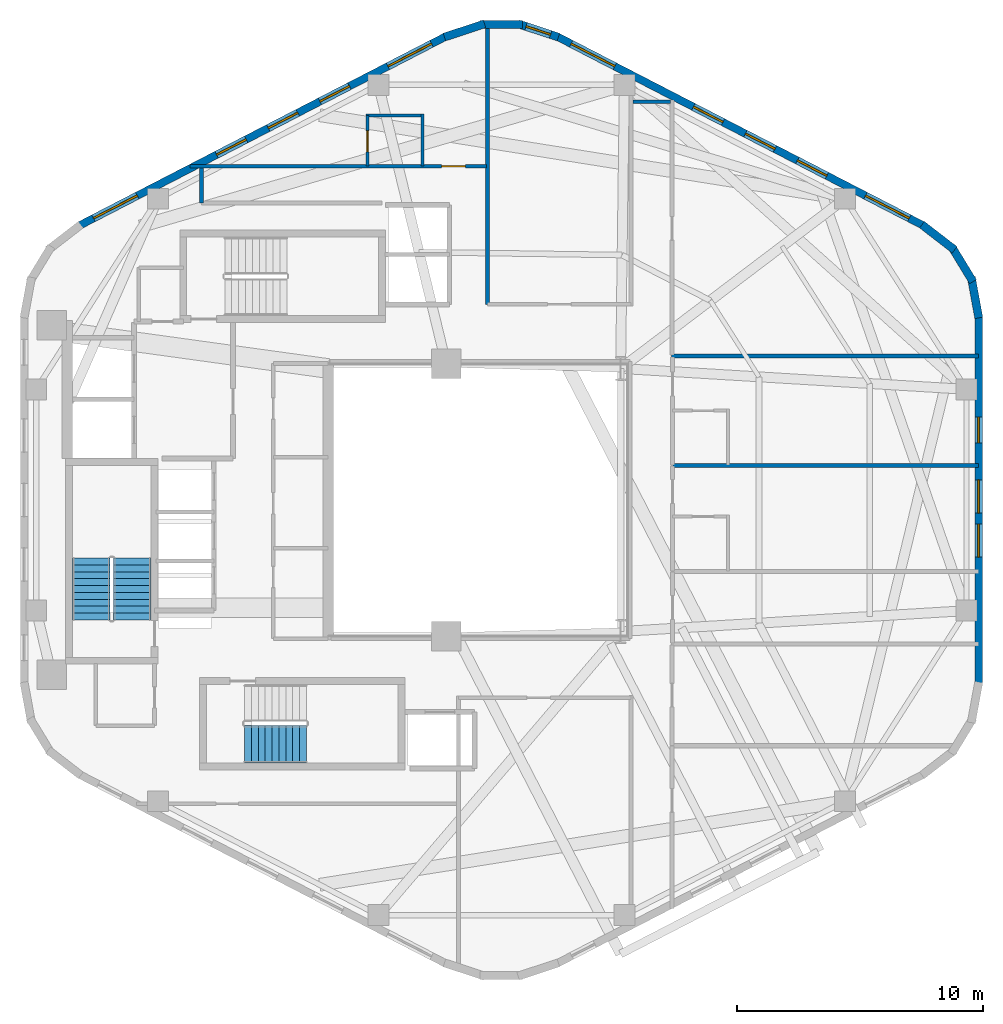
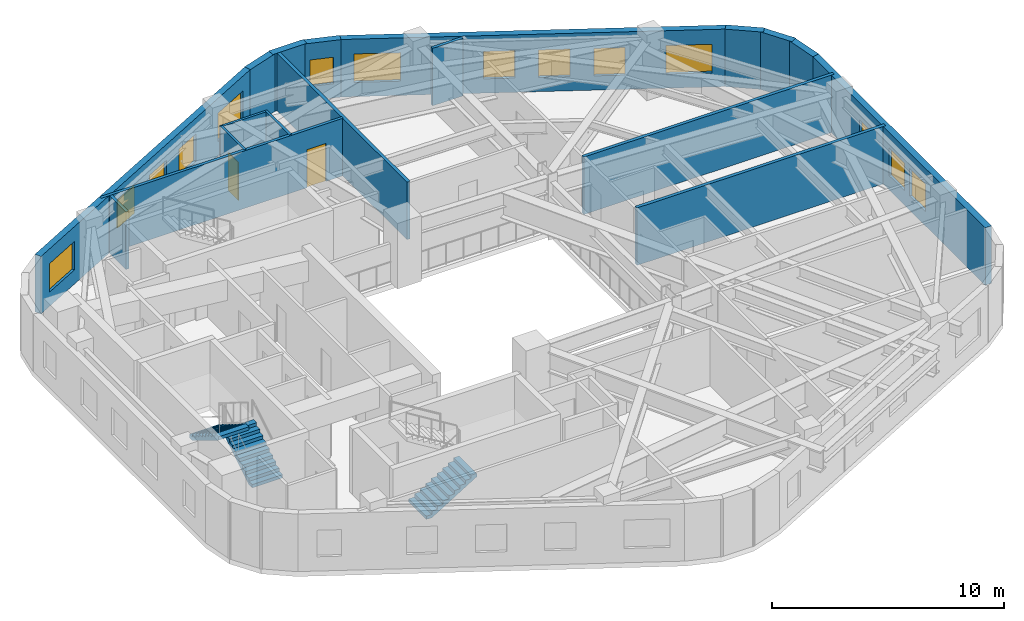
# One storey, part 5 of 7: 18 walls, 14 windows, 3 stair flights, 2 doors, 16 openings, 2 elements without a shape of their own.
"""IFC4 building model written with IfcOpenShell, lengths in metres."""

from ifc_helpers import new_model, si_unit, direction, frame, frame_2d, origin, place, context, subcontext, project, spatial, polyline, rectangle, outline, extrude, material, layer, layer_set, type_object, element, fill, aggregate, save


model = new_model("IFC4")

# Units and contexts
model_context = context("Model", 3, precision=1e-05, world=origin(), true_north=direction((0.0, 1.0)))
body_context = subcontext(model_context, "Body", "Model", "MODEL_VIEW")
ifc_project = project(units=[si_unit("LENGTHUNIT", "METRE"), si_unit("AREAUNIT", "SQUARE_METRE"), si_unit("VOLUMEUNIT", "CUBIC_METRE"), si_unit("PLANEANGLEUNIT", "RADIAN"), si_unit("MASSUNIT", "GRAM", prefix="KILO"), si_unit("THERMODYNAMICTEMPERATUREUNIT", "KELVIN"), si_unit("POWERUNIT", "WATT")], contexts=[model_context])

# Site, building, storey
site_placement = place(None, origin())
site = spatial("IfcSite", under=ifc_project, at=site_placement, CompositionType="ELEMENT")
building_placement = place(site_placement, origin())
building = spatial("IfcBuilding", under=site, at=building_placement, Name="Skarre Station Tower", CompositionType="ELEMENT")
storey_placement = place(building_placement, frame((0.0, 0.0, 217.14990234375)))
storey = spatial("IfcBuildingStorey", under=building, at=storey_placement, Name="L59", CompositionType="ELEMENT", Elevation=217.14990234375)

# Wall, opening, door
ifc_material_1 = material(Name="Acoustic Steel-Stud Gypsum Partition", Category="steel")
ifc_layer_1 = layer(ifc_material_1, 0.14990234375, Name="Acoustic Steel-Stud Gypsum Partition")
ifc_layer_set_1 = layer_set([ifc_layer_1], Name="Acoustic Steel-Stud Gypsum Partition")
wall_type_1 = type_object("IfcWallType", Name="Fire-Rated Corridor Acoustic Partition 150", PredefinedType="PARTITIONING", material=ifc_layer_set_1)
wall_1_placement = place(storey_placement, frame((34.0, 37.580078125, 0.0), z_axis=(0.0, 0.0, 1.0), x_axis=(-1.0, 0.0, 0.0)))
wall_1 = element("IfcWall", 1, at=wall_1_placement, inside=storey, type_object=wall_type_1, Name="L59 Interior Partition WL-PT-L59-NWW1-CW", PredefinedType="PARTITIONING", context=body_context, shape_type="SweptSolid", body=[
    extrude(rectangle(XDim=12.074951171875, YDim=0.14990234375, at=frame_2d((6.03759765625, 0.0))), origin(), (0.0, 0.0, 1.0), 3.030029296875),
])
opening_1_placement = place(wall_1_placement, frame((0.8701171875, 0.0, 0.0)))
opening_1 = element("IfcOpeningElement", 2, at=opening_1_placement, cuts=wall_1, Name="Opening DR-FD60", PredefinedType="OPENING", context=body_context, shape_type="SweptSolid", body=[
    extrude(rectangle(XDim=0.9599609375, YDim=2.0, at=frame_2d((0.47998046875, 1.0))), frame((0.0, 0.0849609375, 0.0), z_axis=(0.0, -1.0, 0.0), x_axis=(1.0, 0.0, 0.0)), (0.0, 0.0, 1.0), 0.169921875),
])
ifc_material_2 = material(Name="Nordic White-Oak Veneer Solid-Core Fire Leaf", Category="wood")
door_type_1 = type_object("IfcDoorType", Name="Corridor Suite Entry Fire Door FD60 960x2150", OperationType="SINGLE_SWING_LEFT", PredefinedType="DOOR", material=ifc_material_2)
door_1_placement = place(opening_1_placement, origin())
door_1 = element("IfcDoor", 3, at=door_1_placement, inside=storey, type_object=door_type_1, Name="L59 NWW1 Entry Door", OperationType="SINGLE_SWING_LEFT", OverallHeight=2.0, OverallWidth=0.9599609375, PredefinedType="DOOR", context=body_context, shape_type="SweptSolid", body=[
    extrude(rectangle(XDim=0.9599609375, YDim=2.0, at=frame_2d((0.47998046875, 1.0))), frame((0.0, 0.02490234375, 0.0), z_axis=(0.0, -1.0, 0.0), x_axis=(1.0, 0.0, 0.0)), (0.0, 0.0, 1.0), 0.050048828125),
])
fill(opening_1, door_1)

# Walls
wall_2_placement = place(storey_placement, frame((22.39990234375, 36.080078125, 0.0), z_axis=(0.0, 0.0, 1.0), x_axis=(0.0, 1.0, 0.0)))
element("IfcWall", 4, at=wall_2_placement, inside=storey, type_object=wall_type_1, Name="L59 Interior Partition WL-PT-L59-CSEAL-2", PredefinedType="PARTITIONING", context=body_context, shape_type="SweptSolid", body=[
    extrude(rectangle(XDim=1.429931640625, YDim=0.14990234375, at=frame_2d((0.71484375, 0.0))), origin(), (0.0, 0.0, 1.0), 3.030029296875),
])
wall_3_placement = place(storey_placement, frame((39.9580078125, 40.199951171875, 0.0), z_axis=(0.0, 0.0, 1.0), x_axis=(1.0, 0.0, 0.0)))
element("IfcWall", 5, at=wall_3_placement, inside=storey, type_object=wall_type_1, Name="L59 Interior Partition WL-PT-L59-CSEAL-3", PredefinedType="PARTITIONING", context=body_context, shape_type="SweptSolid", body=[
    extrude(rectangle(XDim=1.511962890625, YDim=0.14990234375, at=frame_2d((0.755859375, 0.0))), origin(), (0.0, 0.0, 1.0), 3.030029296875),
])
ifc_material_3 = material(Name="Insulated Timber-Stud Gypsum Partition", Category="wood")
ifc_layer_2 = layer(ifc_material_3, 0.1201171875, Name="Insulated Timber-Stud Gypsum Partition")
ifc_layer_set_2 = layer_set([ifc_layer_2], Name="Insulated Timber-Stud Gypsum Partition")
wall_type_2 = type_object("IfcWallType", Name="Internal Suite Acoustic Partition 120", PredefinedType="PARTITIONING", material=ifc_layer_set_2)
wall_4_placement = place(storey_placement, frame((31.39990234375, 37.580078125, 0.0), z_axis=(0.0, 0.0, 1.0), x_axis=(0.0, 1.0, 0.0)))
element("IfcWall", 6, at=wall_4_placement, inside=storey, type_object=wall_type_2, Name="L59 Interior Partition WL-PT-L59-NWW1-EW2", PredefinedType="PARTITIONING", context=body_context, shape_type="SweptSolid", body=[
    extrude(rectangle(XDim=2.119873046875, YDim=0.1201171875, at=frame_2d((1.06005859375, 0.0))), origin(), (0.0, 0.0, 1.0), 3.030029296875),
])
wall_5_placement = place(storey_placement, frame((31.4599609375, 39.639892578125, 0.0), z_axis=(0.0, 0.0, 1.0), x_axis=(-1.0, 0.0, 0.0)))
element("IfcWall", 7, at=wall_5_placement, inside=storey, type_object=wall_type_2, Name="L59 Interior Partition WL-PT-L59-NWW1-EW3", PredefinedType="PARTITIONING", context=body_context, shape_type="SweptSolid", body=[
    extrude(rectangle(XDim=2.369873046875, YDim=0.1201171875, at=frame_2d((1.18505859375, 0.0))), origin(), (0.0, 0.0, 1.0), 3.030029296875),
])

# Wall, opening, door
wall_6_placement = place(storey_placement, frame((29.14990234375, 39.639892578125, 0.0), z_axis=(0.0, 0.0, 1.0), x_axis=(0.0, -1.0, 0.0)))
wall_6 = element("IfcWall", 8, at=wall_6_placement, inside=storey, type_object=wall_type_2, Name="L59 Interior Partition WL-PT-L59-NWW1-EW4", PredefinedType="PARTITIONING", context=body_context, shape_type="SweptSolid", body=[
    extrude(rectangle(XDim=2.059814453125, YDim=0.1201171875, at=frame_2d((1.02978515625, 0.0))), origin(), (0.0, 0.0, 1.0), 3.030029296875),
])
opening_2_placement = place(wall_6_placement, frame((0.6201171875, 0.0, 0.0)))
opening_2 = element("IfcOpeningElement", 9, at=opening_2_placement, cuts=wall_6, Name="Opening DR-INT86", PredefinedType="OPENING", context=body_context, shape_type="SweptSolid", body=[
    extrude(rectangle(XDim=0.860107421875, YDim=2.0, at=frame_2d((0.43017578125, 1.0))), frame((0.0, 0.070068359375, 0.0), z_axis=(0.0, -1.0, 0.0), x_axis=(1.0, 0.0, 0.0)), (0.0, 0.0, 1.0), 0.14013671875),
])
ifc_material_4 = material(Name="Nordic Birch Acoustic Solid-Core Timber Leaf", Category="wood")
door_type_2 = type_object("IfcDoorType", Name="Internal En-Suite & Bedroom Door 860x2100", OperationType="SINGLE_SWING_LEFT", PredefinedType="DOOR", material=ifc_material_4)
door_2_placement = place(opening_2_placement, origin())
door_2 = element("IfcDoor", 10, at=door_2_placement, inside=storey, type_object=door_type_2, Name="L59 NWW1 En-suite Door", OperationType="SINGLE_SWING_RIGHT", OverallHeight=2.0, OverallWidth=0.860107421875, PredefinedType="DOOR", context=body_context, shape_type="SweptSolid", body=[
    extrude(rectangle(XDim=0.860107421875, YDim=2.0, at=frame_2d((0.43017578125, 1.0))), frame((0.0, 0.02490234375, 0.0), z_axis=(0.0, -1.0, 0.0), x_axis=(1.0, 0.0, 0.0)), (0.0, 0.0, 1.0), 0.050048828125),
])
fill(opening_2, door_2)

# Walls
ifc_material_5 = material(Name="Precast concrete C45/55", Category="concrete")
ifc_layer_3 = layer(ifc_material_5, 0.330078125, Name="Precast concrete C45/55")
ifc_layer_set_3 = layer_set([ifc_layer_3], Name="Precast concrete C45/55")
wall_type_3 = type_object("IfcWallType", Name="Nordic Rounded Corner Precast Wall 330", PredefinedType="STANDARD", material=ifc_layer_set_3)
wall_7_placement = place(storey_placement, frame((51.7109375, 35.199951171875, 0.0), z_axis=(0.0, 0.0, 1.0), x_axis=(0.791464279355, -0.611215423976, 0.0)))
element("IfcWall", 11, at=wall_7_placement, inside=storey, type_object=wall_type_3, Name="L59 Rounded Corner Precast Wall F0-1", PredefinedType="STANDARD", context=body_context, shape_type="SweptSolid", body=[
    extrude(rectangle(XDim=1.6767578125, YDim=0.330078125, at=frame_2d((0.83837890625, 0.0))), origin(), (0.0, 0.0, 1.0), 3.030029296875),
])
wall_8_placement = place(storey_placement, frame((52.912109375, 34.31494140625, 0.0), z_axis=(0.0, 0.0, 1.0), x_axis=(0.520219286058, -0.85403272444, 0.0)))
element("IfcWall", 12, at=wall_8_placement, inside=storey, type_object=wall_type_3, Name="L59 Rounded Corner Precast Wall F0-2", PredefinedType="STANDARD", context=body_context, shape_type="SweptSolid", body=[
    extrude(rectangle(XDim=1.677734375, YDim=0.330078125, at=frame_2d((0.8388671875, 0.0))), origin(), (0.0, 0.0, 1.0), 3.030029296875),
])
wall_9_placement = place(storey_placement, frame((53.718017578125, 33.056884765625, 0.0), z_axis=(0.0, 0.0, 1.0), x_axis=(0.180717642671, -0.983535019014, 0.0)))
element("IfcWall", 13, at=wall_9_placement, inside=storey, type_object=wall_type_3, Name="L59 Rounded Corner Precast Wall F0-3", PredefinedType="STANDARD", context=body_context, shape_type="SweptSolid", body=[
    extrude(rectangle(XDim=1.676513671875, YDim=0.330078125, at=frame_2d((0.83837890625, 0.0))), origin(), (0.0, 0.0, 1.0), 3.030029296875),
])
wall_10_placement = place(storey_placement, frame((32.281005859375, 42.83203125, 0.0), z_axis=(0.0, 0.0, 1.0), x_axis=(0.949937416267, 0.312440242569, 0.0)))
element("IfcWall", 14, at=wall_10_placement, inside=storey, type_object=wall_type_3, Name="L59 Rounded Corner Precast Wall F1-1", PredefinedType="STANDARD", context=body_context, shape_type="SweptSolid", body=[
    extrude(rectangle(XDim=1.72216796875, YDim=0.330078125, at=frame_2d((0.861083984375, 0.0))), origin(), (0.0, 0.0, 1.0), 3.030029296875),
])
wall_11_placement = place(storey_placement, frame((33.739013671875, 43.341064453125, 0.0), z_axis=(0.0, 0.0, 1.0), x_axis=(1.0, 0.0, 0.0)))
element("IfcWall", 15, at=wall_11_placement, inside=storey, type_object=wall_type_3, Name="L59 Rounded Corner Precast Wall F1-2", PredefinedType="STANDARD", context=body_context, shape_type="SweptSolid", body=[
    extrude(rectangle(XDim=1.721923828125, YDim=0.330078125, at=frame_2d((0.86083984375, 0.0))), origin(), (0.0, 0.0, 1.0), 3.030029296875),
])

# Wall, opening, window
wall_12_placement = place(storey_placement, frame((35.282958984375, 43.3701171875, 0.0), z_axis=(0.0, 0.0, 1.0), x_axis=(0.949937416267, -0.312440242569, 0.0)))
wall_12 = element("IfcWall", 16, at=wall_12_placement, inside=storey, type_object=wall_type_3, Name="L59 Rounded Corner Precast Wall F1-3", PredefinedType="STANDARD", context=body_context, shape_type="SweptSolid", body=[
    extrude(rectangle(XDim=1.72216796875, YDim=0.330078125, at=frame_2d((0.861083984375, 0.0))), origin(), (0.0, 0.0, 1.0), 3.030029296875),
])
opening_3_placement = place(wall_12_placement, frame((0.3359375, 0.0, 0.75)))
opening_3 = element("IfcOpeningElement", 17, at=opening_3_placement, cuts=wall_12, Name="Opening WN-SLT", PredefinedType="OPENING", context=body_context, shape_type="SweptSolid", body=[
    extrude(rectangle(XDim=1.050048828125, YDim=1.39990234375, at=frame_2d((0.52490234375, 0.699951171875))), frame((0.0, 0.175048828125, 0.0), z_axis=(0.0, -1.0, 0.0), x_axis=(1.0, 0.0, 0.0)), (0.0, 0.0, 1.0), 0.35009765625),
])
ifc_material_6 = material(Name="Low-Iron Triple Glazing with Bronze Anodized Frame", Category="glass")
window_type_1 = type_object("IfcWindowType", Name="Nordic Corner Slot Window 1050x1400", PartitioningType="SINGLE_PANEL", PredefinedType="WINDOW", material=ifc_material_6)
window_1_placement = place(opening_3_placement, origin())
window_1 = element("IfcWindow", 18, at=window_1_placement, inside=storey, type_object=window_type_1, Name="L59 Apex Corner Slot Window F1-3", OverallHeight=1.39990234375, OverallWidth=1.050048828125, PartitioningType="SINGLE_PANEL", PredefinedType="WINDOW", context=body_context, shape_type="SweptSolid", body=[
    extrude(rectangle(XDim=1.050048828125, YDim=1.39990234375, at=frame_2d((0.52490234375, 0.699951171875))), frame((0.0, 0.030029296875, 0.0), z_axis=(0.0, -1.0, 0.0), x_axis=(1.0, 0.0, 0.0)), (0.0, 0.0, 1.0), 0.06005859375),
])
fill(opening_3, window_1)

# Wall, openings, windows
ifc_layer_4 = layer(ifc_material_5, 0.31005859375, Name="Precast concrete C45/55")
ifc_layer_set_4 = layer_set([ifc_layer_4], Name="Precast concrete C45/55")
wall_type_4 = type_object("IfcWallType", Name="Nordic Upper-Zone Precast Facet Wall 310", PredefinedType="STANDARD", material=ifc_layer_set_4)
wall_13_placement = place(storey_placement, frame((36.837890625, 42.87109375, 0.0), z_axis=(0.0, 0.0, 1.0), x_axis=(0.888626188278, -0.458632202867, 0.0)))
wall_13 = element("IfcWall", 19, at=wall_13_placement, inside=storey, type_object=wall_type_4, Name="L59 Facet 0 Nordic Precast Masonry Wall", PredefinedType="STANDARD", context=body_context, shape_type="SweptSolid", body=[
    extrude(rectangle(XDim=16.828369140625, YDim=0.31005859375, at=frame_2d((8.4140625, 0.0))), origin(), (0.0, 0.0, 1.0), 3.030029296875),
])
opening_4_placement = place(wall_13_placement, frame((0.675048828125, 0.0, 0.75)))
opening_4 = element("IfcOpeningElement", 20, at=opening_4_placement, cuts=wall_13, Name="Opening WN-Z3A", PredefinedType="OPENING", context=body_context, shape_type="SweptSolid", body=[
    extrude(rectangle(XDim=2.0, YDim=1.5, at=frame_2d((1.0, 0.75))), frame((0.0, 0.1650390625, 0.0), z_axis=(0.0, -1.0, 0.0), x_axis=(1.0, 0.0, 0.0)), (0.0, 0.0, 1.0), 0.330078125),
])
opening_5_placement = place(wall_13_placement, frame((6.27294921875, 0.0, 0.75)))
opening_5 = element("IfcOpeningElement", 21, at=opening_5_placement, cuts=wall_13, Name="Opening WN-Z3B", PredefinedType="OPENING", context=body_context, shape_type="SweptSolid", body=[
    extrude(rectangle(XDim=1.35009765625, YDim=1.449951171875, at=frame_2d((0.675048828125, 0.72509765625))), frame((0.0, 0.1650390625, 0.0), z_axis=(0.0, -1.0, 0.0), x_axis=(1.0, 0.0, 0.0)), (0.0, 0.0, 1.0), 0.330078125),
])
opening_6_placement = place(wall_13_placement, frame((8.653076171875, 0.0, 0.75)))
opening_6 = element("IfcOpeningElement", 22, at=opening_6_placement, cuts=wall_13, Name="Opening WN-Z3B", PredefinedType="OPENING", context=body_context, shape_type="SweptSolid", body=[
    extrude(rectangle(XDim=1.35009765625, YDim=1.449951171875, at=frame_2d((0.675048828125, 0.72509765625))), frame((0.0, 0.1650390625, 0.0), z_axis=(0.0, -1.0, 0.0), x_axis=(1.0, 0.0, 0.0)), (0.0, 0.0, 1.0), 0.330078125),
])
opening_7_placement = place(wall_13_placement, frame((11.031982421875, 0.0, 0.75)))
opening_7 = element("IfcOpeningElement", 23, at=opening_7_placement, cuts=wall_13, Name="Opening WN-Z3B", PredefinedType="OPENING", context=body_context, shape_type="SweptSolid", body=[
    extrude(rectangle(XDim=1.35009765625, YDim=1.449951171875, at=frame_2d((0.675048828125, 0.72509765625))), frame((0.0, 0.1650390625, 0.0), z_axis=(0.0, -1.0, 0.0), x_axis=(1.0, 0.0, 0.0)), (0.0, 0.0, 1.0), 0.330078125),
])
opening_8_placement = place(wall_13_placement, frame((14.153076171875, 0.0, 0.75)))
opening_8 = element("IfcOpeningElement", 24, at=opening_8_placement, cuts=wall_13, Name="Opening WN-Z3A", PredefinedType="OPENING", context=body_context, shape_type="SweptSolid", body=[
    extrude(rectangle(XDim=2.0, YDim=1.5, at=frame_2d((1.0, 0.75))), frame((0.0, 0.1650390625, 0.0), z_axis=(0.0, -1.0, 0.0), x_axis=(1.0, 0.0, 0.0)), (0.0, 0.0, 1.0), 0.330078125),
])
window_type_2 = type_object("IfcWindowType", Name="Nordic Hospitality Narrow Window 1350x1450", PartitioningType="SINGLE_PANEL", PredefinedType="WINDOW", material=ifc_material_6)
window_2_placement = place(opening_5_placement, origin())
window_2 = element("IfcWindow", 25, at=window_2_placement, inside=storey, type_object=window_type_2, Name="L59 Facade Window WL-FAC-L59-F0-2", OverallHeight=1.449951171875, OverallWidth=1.35009765625, PartitioningType="SINGLE_PANEL", PredefinedType="WINDOW", context=body_context, shape_type="SweptSolid", body=[
    extrude(rectangle(XDim=1.35009765625, YDim=1.449951171875, at=frame_2d((0.675048828125, 0.72509765625))), frame((0.0, 0.030029296875, 0.0), z_axis=(0.0, -1.0, 0.0), x_axis=(1.0, 0.0, 0.0)), (0.0, 0.0, 1.0), 0.06005859375),
])
fill(opening_5, window_2)
window_3_placement = place(opening_6_placement, origin())
window_3 = element("IfcWindow", 26, at=window_3_placement, inside=storey, type_object=window_type_2, Name="L59 Facade Window WL-FAC-L59-F0-3", OverallHeight=1.449951171875, OverallWidth=1.35009765625, PartitioningType="SINGLE_PANEL", PredefinedType="WINDOW", context=body_context, shape_type="SweptSolid", body=[
    extrude(rectangle(XDim=1.35009765625, YDim=1.449951171875, at=frame_2d((0.675048828125, 0.72509765625))), frame((0.0, 0.030029296875, 0.0), z_axis=(0.0, -1.0, 0.0), x_axis=(1.0, 0.0, 0.0)), (0.0, 0.0, 1.0), 0.06005859375),
])
fill(opening_6, window_3)
window_4_placement = place(opening_7_placement, origin())
window_4 = element("IfcWindow", 27, at=window_4_placement, inside=storey, type_object=window_type_2, Name="L59 Facade Window WL-FAC-L59-F0-4", OverallHeight=1.449951171875, OverallWidth=1.35009765625, PartitioningType="SINGLE_PANEL", PredefinedType="WINDOW", context=body_context, shape_type="SweptSolid", body=[
    extrude(rectangle(XDim=1.35009765625, YDim=1.449951171875, at=frame_2d((0.675048828125, 0.72509765625))), frame((0.0, 0.030029296875, 0.0), z_axis=(0.0, -1.0, 0.0), x_axis=(1.0, 0.0, 0.0)), (0.0, 0.0, 1.0), 0.06005859375),
])
fill(opening_7, window_4)
window_type_3 = type_object("IfcWindowType", Name="Nordic Hospitality Window 2000x1500", PartitioningType="SINGLE_PANEL", PredefinedType="WINDOW", material=ifc_material_6)
window_5_placement = place(opening_4_placement, origin())
window_5 = element("IfcWindow", 28, at=window_5_placement, inside=storey, type_object=window_type_3, Name="L59 Facade Window WL-FAC-L59-F0-1", OverallHeight=1.5, OverallWidth=2.0, PartitioningType="SINGLE_PANEL", PredefinedType="WINDOW", context=body_context, shape_type="SweptSolid", body=[
    extrude(rectangle(XDim=2.0, YDim=1.5, at=frame_2d((1.0, 0.75))), frame((0.0, 0.030029296875, 0.0), z_axis=(0.0, -1.0, 0.0), x_axis=(1.0, 0.0, 0.0)), (0.0, 0.0, 1.0), 0.06005859375),
])
fill(opening_4, window_5)
window_6_placement = place(opening_8_placement, origin())
window_6 = element("IfcWindow", 29, at=window_6_placement, inside=storey, type_object=window_type_3, Name="L59 Facade Window WL-FAC-L59-F0-5", OverallHeight=1.5, OverallWidth=2.0, PartitioningType="SINGLE_PANEL", PredefinedType="WINDOW", context=body_context, shape_type="SweptSolid", body=[
    extrude(rectangle(XDim=2.0, YDim=1.5, at=frame_2d((1.0, 0.75))), frame((0.0, 0.030029296875, 0.0), z_axis=(0.0, -1.0, 0.0), x_axis=(1.0, 0.0, 0.0)), (0.0, 0.0, 1.0), 0.06005859375),
])
fill(opening_8, window_6)

wall_14_placement = place(storey_placement, frame((17.407958984375, 35.153076171875, 0.0), z_axis=(0.0, 0.0, 1.0), x_axis=(0.888626188278, 0.458632202867, 0.0)))
wall_14 = element("IfcWall", 30, at=wall_14_placement, inside=storey, type_object=wall_type_4, Name="L59 Facet 1 Nordic Precast Masonry Wall", PredefinedType="STANDARD", context=body_context, shape_type="SweptSolid", body=[
    extrude(rectangle(XDim=16.828369140625, YDim=0.31005859375, at=frame_2d((8.4140625, 0.0))), origin(), (0.0, 0.0, 1.0), 3.030029296875),
])
opening_9_placement = place(wall_14_placement, frame((0.675048828125, 0.0, 0.75)))
opening_9 = element("IfcOpeningElement", 31, at=opening_9_placement, cuts=wall_14, Name="Opening WN-Z3A", PredefinedType="OPENING", context=body_context, shape_type="SweptSolid", body=[
    extrude(rectangle(XDim=2.0, YDim=1.5, at=frame_2d((1.0, 0.75))), frame((0.0, 0.1650390625, 0.0), z_axis=(0.0, -1.0, 0.0), x_axis=(1.0, 0.0, 0.0)), (0.0, 0.0, 1.0), 0.330078125),
])
opening_10_placement = place(wall_14_placement, frame((6.31201171875, 0.0, 0.75)))
opening_10 = element("IfcOpeningElement", 32, at=opening_10_placement, cuts=wall_14, Name="Opening WN-Z3B", PredefinedType="OPENING", context=body_context, shape_type="SweptSolid", body=[
    extrude(rectangle(XDim=1.35009765625, YDim=1.449951171875, at=frame_2d((0.675048828125, 0.72509765625))), frame((0.0, 0.1650390625, 0.0), z_axis=(0.0, -1.0, 0.0), x_axis=(1.0, 0.0, 0.0)), (0.0, 0.0, 1.0), 0.330078125),
])
opening_11_placement = place(wall_14_placement, frame((8.676025390625, 0.0, 0.75)))
opening_11 = element("IfcOpeningElement", 33, at=opening_11_placement, cuts=wall_14, Name="Opening WN-Z3B", PredefinedType="OPENING", context=body_context, shape_type="SweptSolid", body=[
    extrude(rectangle(XDim=1.35009765625, YDim=1.449951171875, at=frame_2d((0.675048828125, 0.72509765625))), frame((0.0, 0.1650390625, 0.0), z_axis=(0.0, -1.0, 0.0), x_axis=(1.0, 0.0, 0.0)), (0.0, 0.0, 1.0), 0.330078125),
])
opening_12_placement = place(wall_14_placement, frame((11.041015625, 0.0, 0.75)))
opening_12 = element("IfcOpeningElement", 34, at=opening_12_placement, cuts=wall_14, Name="Opening WN-Z3B", PredefinedType="OPENING", context=body_context, shape_type="SweptSolid", body=[
    extrude(rectangle(XDim=1.35009765625, YDim=1.449951171875, at=frame_2d((0.675048828125, 0.72509765625))), frame((0.0, 0.1650390625, 0.0), z_axis=(0.0, -1.0, 0.0), x_axis=(1.0, 0.0, 0.0)), (0.0, 0.0, 1.0), 0.330078125),
])
opening_13_placement = place(wall_14_placement, frame((14.153076171875, 0.0, 0.75)))
opening_13 = element("IfcOpeningElement", 35, at=opening_13_placement, cuts=wall_14, Name="Opening WN-Z3A", PredefinedType="OPENING", context=body_context, shape_type="SweptSolid", body=[
    extrude(rectangle(XDim=2.0, YDim=1.5, at=frame_2d((1.0, 0.75))), frame((0.0, 0.1650390625, 0.0), z_axis=(0.0, -1.0, 0.0), x_axis=(1.0, 0.0, 0.0)), (0.0, 0.0, 1.0), 0.330078125),
])
window_7_placement = place(opening_10_placement, origin())
window_7 = element("IfcWindow", 36, at=window_7_placement, inside=storey, type_object=window_type_2, Name="L59 Facade Window WL-FAC-L59-F1-2", OverallHeight=1.449951171875, OverallWidth=1.35009765625, PartitioningType="SINGLE_PANEL", PredefinedType="WINDOW", context=body_context, shape_type="SweptSolid", body=[
    extrude(rectangle(XDim=1.35009765625, YDim=1.449951171875, at=frame_2d((0.675048828125, 0.72509765625))), frame((0.0, 0.030029296875, 0.0), z_axis=(0.0, -1.0, 0.0), x_axis=(1.0, 0.0, 0.0)), (0.0, 0.0, 1.0), 0.06005859375),
])
fill(opening_10, window_7)
window_8_placement = place(opening_11_placement, origin())
window_8 = element("IfcWindow", 37, at=window_8_placement, inside=storey, type_object=window_type_2, Name="L59 Facade Window WL-FAC-L59-F1-3", OverallHeight=1.449951171875, OverallWidth=1.35009765625, PartitioningType="SINGLE_PANEL", PredefinedType="WINDOW", context=body_context, shape_type="SweptSolid", body=[
    extrude(rectangle(XDim=1.35009765625, YDim=1.449951171875, at=frame_2d((0.675048828125, 0.72509765625))), frame((0.0, 0.030029296875, 0.0), z_axis=(0.0, -1.0, 0.0), x_axis=(1.0, 0.0, 0.0)), (0.0, 0.0, 1.0), 0.06005859375),
])
fill(opening_11, window_8)
window_9_placement = place(opening_12_placement, origin())
window_9 = element("IfcWindow", 38, at=window_9_placement, inside=storey, type_object=window_type_2, Name="L59 Facade Window WL-FAC-L59-F1-4", OverallHeight=1.449951171875, OverallWidth=1.35009765625, PartitioningType="SINGLE_PANEL", PredefinedType="WINDOW", context=body_context, shape_type="SweptSolid", body=[
    extrude(rectangle(XDim=1.35009765625, YDim=1.449951171875, at=frame_2d((0.675048828125, 0.72509765625))), frame((0.0, 0.030029296875, 0.0), z_axis=(0.0, -1.0, 0.0), x_axis=(1.0, 0.0, 0.0)), (0.0, 0.0, 1.0), 0.06005859375),
])
fill(opening_12, window_9)
window_10_placement = place(opening_9_placement, origin())
window_10 = element("IfcWindow", 39, at=window_10_placement, inside=storey, type_object=window_type_3, Name="L59 Facade Window WL-FAC-L59-F1-1", OverallHeight=1.5, OverallWidth=2.0, PartitioningType="SINGLE_PANEL", PredefinedType="WINDOW", context=body_context, shape_type="SweptSolid", body=[
    extrude(rectangle(XDim=2.0, YDim=1.5, at=frame_2d((1.0, 0.75))), frame((0.0, 0.030029296875, 0.0), z_axis=(0.0, -1.0, 0.0), x_axis=(1.0, 0.0, 0.0)), (0.0, 0.0, 1.0), 0.06005859375),
])
fill(opening_9, window_10)
window_11_placement = place(opening_13_placement, origin())
window_11 = element("IfcWindow", 40, at=window_11_placement, inside=storey, type_object=window_type_3, Name="L59 Facade Window WL-FAC-L59-F1-5", OverallHeight=1.5, OverallWidth=2.0, PartitioningType="SINGLE_PANEL", PredefinedType="WINDOW", context=body_context, shape_type="SweptSolid", body=[
    extrude(rectangle(XDim=2.0, YDim=1.5, at=frame_2d((1.0, 0.75))), frame((0.0, 0.030029296875, 0.0), z_axis=(0.0, -1.0, 0.0), x_axis=(1.0, 0.0, 0.0)), (0.0, 0.0, 1.0), 0.06005859375),
])
fill(opening_13, window_11)

wall_15_placement = place(storey_placement, frame((54.01708984375, 31.501953125, 0.0), z_axis=(0.0, 0.0, 1.0), x_axis=(0.0, -1.0, 0.0)))
wall_15 = element("IfcWall", 41, at=wall_15_placement, inside=storey, type_object=wall_type_4, Name="L59 Facet 5 Nordic Precast Masonry Wall", PredefinedType="STANDARD", context=body_context, shape_type="SweptSolid", body=[
    extrude(rectangle(XDim=15.00390625, YDim=0.31005859375, at=frame_2d((7.501953125, 0.0))), origin(), (0.0, 0.0, 1.0), 3.030029296875),
])
opening_14_placement = place(wall_15_placement, frame((4.12890625, 0.0, 0.75)))
opening_14 = element("IfcOpeningElement", 42, at=opening_14_placement, cuts=wall_15, Name="Opening WN-SLT", PredefinedType="OPENING", context=body_context, shape_type="SweptSolid", body=[
    extrude(rectangle(XDim=1.050048828125, YDim=1.39990234375, at=frame_2d((0.52490234375, 0.699951171875))), frame((0.0, 0.1650390625, 0.0), z_axis=(0.0, -1.0, 0.0), x_axis=(1.0, 0.0, 0.0)), (0.0, 0.0, 1.0), 0.330078125),
])
opening_15_placement = place(wall_15_placement, frame((6.68798828125, 0.0, 0.75)))
opening_15 = element("IfcOpeningElement", 43, at=opening_15_placement, cuts=wall_15, Name="Opening WN-Z3B", PredefinedType="OPENING", context=body_context, shape_type="SweptSolid", body=[
    extrude(rectangle(XDim=1.35009765625, YDim=1.449951171875, at=frame_2d((0.675048828125, 0.72509765625))), frame((0.0, 0.1650390625, 0.0), z_axis=(0.0, -1.0, 0.0), x_axis=(1.0, 0.0, 0.0)), (0.0, 0.0, 1.0), 0.330078125),
])
opening_16_placement = place(wall_15_placement, frame((8.47900390625, 0.0, 0.75)))
opening_16 = element("IfcOpeningElement", 44, at=opening_16_placement, cuts=wall_15, Name="Opening WN-Z3B", PredefinedType="OPENING", context=body_context, shape_type="SweptSolid", body=[
    extrude(rectangle(XDim=1.35009765625, YDim=1.449951171875, at=frame_2d((0.675048828125, 0.72509765625))), frame((0.0, 0.1650390625, 0.0), z_axis=(0.0, -1.0, 0.0), x_axis=(1.0, 0.0, 0.0)), (0.0, 0.0, 1.0), 0.330078125),
])
window_12_placement = place(opening_14_placement, origin())
window_12 = element("IfcWindow", 45, at=window_12_placement, inside=storey, type_object=window_type_1, Name="L59 Facade Window WL-FAC-L59-F5-1", OverallHeight=1.39990234375, OverallWidth=1.050048828125, PartitioningType="SINGLE_PANEL", PredefinedType="WINDOW", context=body_context, shape_type="SweptSolid", body=[
    extrude(rectangle(XDim=1.050048828125, YDim=1.39990234375, at=frame_2d((0.52490234375, 0.699951171875))), frame((0.0, 0.030029296875, 0.0), z_axis=(0.0, -1.0, 0.0), x_axis=(1.0, 0.0, 0.0)), (0.0, 0.0, 1.0), 0.06005859375),
])
fill(opening_14, window_12)
window_13_placement = place(opening_15_placement, origin())
window_13 = element("IfcWindow", 46, at=window_13_placement, inside=storey, type_object=window_type_2, Name="L59 Facade Window WL-FAC-L59-F5-2", OverallHeight=1.449951171875, OverallWidth=1.35009765625, PartitioningType="SINGLE_PANEL", PredefinedType="WINDOW", context=body_context, shape_type="SweptSolid", body=[
    extrude(rectangle(XDim=1.35009765625, YDim=1.449951171875, at=frame_2d((0.675048828125, 0.72509765625))), frame((0.0, 0.030029296875, 0.0), z_axis=(0.0, -1.0, 0.0), x_axis=(1.0, 0.0, 0.0)), (0.0, 0.0, 1.0), 0.06005859375),
])
fill(opening_15, window_13)
window_14_placement = place(opening_16_placement, origin())
window_14 = element("IfcWindow", 47, at=window_14_placement, inside=storey, type_object=window_type_2, Name="L59 Facade Window WL-FAC-L59-F5-3", OverallHeight=1.449951171875, OverallWidth=1.35009765625, PartitioningType="SINGLE_PANEL", PredefinedType="WINDOW", context=body_context, shape_type="SweptSolid", body=[
    extrude(rectangle(XDim=1.35009765625, YDim=1.449951171875, at=frame_2d((0.675048828125, 0.72509765625))), frame((0.0, 0.030029296875, 0.0), z_axis=(0.0, -1.0, 0.0), x_axis=(1.0, 0.0, 0.0)), (0.0, 0.0, 1.0), 0.06005859375),
])
fill(opening_16, window_14)

# Walls
ifc_layer_5 = layer(ifc_material_1, 0.1650390625, Name="Acoustic Steel-Stud Gypsum Partition")
ifc_layer_set_5 = layer_set([ifc_layer_5], Name="Acoustic Steel-Stud Gypsum Partition")
wall_type_5 = type_object("IfcWallType", Name="Suite Demising Acoustic Partition 165", PredefinedType="PARTITIONING", material=ifc_layer_set_5)
wall_16_placement = place(storey_placement, frame((34.0400390625, 31.9599609375, 0.0), z_axis=(0.0, 0.0, 1.0), x_axis=(0.0, 1.0, 0.0)))
element("IfcWall", 48, at=wall_16_placement, inside=storey, type_object=wall_type_5, Name="L59 Interior Partition WL-PT-L59-NW-WBND", PredefinedType="PARTITIONING", context=body_context, shape_type="SweptSolid", body=[
    extrude(rectangle(XDim=11.3759765625, YDim=0.1650390625, at=frame_2d((5.68798828125, 0.0))), origin(), (0.0, 0.0, 1.0), 3.030029296875),
])
wall_17_placement = place(storey_placement, frame((41.52001953125, 29.860107421875, 0.0), z_axis=(0.0, 0.0, 1.0), x_axis=(1.0, 0.0, 0.0)))
element("IfcWall", 49, at=wall_17_placement, inside=storey, type_object=wall_type_5, Name="L59 Interior Partition WL-PT-L59-EWB-N", PredefinedType="PARTITIONING", context=body_context, shape_type="SweptSolid", body=[
    extrude(rectangle(XDim=12.48193359375, YDim=0.1650390625, at=frame_2d((6.240966796875, 0.0))), origin(), (0.0, 0.0, 1.0), 3.030029296875),
])
wall_18_placement = place(storey_placement, frame((41.590087890625, 25.39697265625, 0.0), z_axis=(0.0, 0.0, 1.0), x_axis=(1.0, 0.0, 0.0)))
element("IfcWall", 50, at=wall_18_placement, inside=storey, type_object=wall_type_5, Name="L59 Interior Partition WL-PT-L59-EW-P2", PredefinedType="PARTITIONING", context=body_context, shape_type="SweptSolid", body=[
    extrude(rectangle(XDim=12.411865234375, YDim=0.1650390625, at=frame_2d((6.2060546875, 0.0))), origin(), (0.0, 0.0, 1.0), 3.030029296875),
])

# Stair, stair flights
ifc_material_7 = material(Name="Concrete C40/50", Category="concrete")
stair_type_1 = type_object("IfcStairType", Name="Reinforced Concrete Exit Stair ST-1", PredefinedType="HALF_TURN_STAIR", material=ifc_material_7)
stair_1_placement = place(storey_placement, origin())
stair_1 = element("IfcStair", 51, at=stair_1_placement, inside=storey, type_object=stair_type_1, Name="L59 Core Exit Stair ST-1", PredefinedType="HALF_TURN_STAIR")
stair_flight_type_1 = type_object("IfcStairFlightType", Name="Reinforced Concrete Stair Flight ST-1", PredefinedType="STRAIGHT", material=ifc_material_7)
stair_flight_1_placement = place(storey_placement, frame((19.590087890625, 19.1201171875, 0.0), z_axis=(0.0, 0.0, 1.0), x_axis=(0.0, 1.0, 0.0)))
stair_flight_1 = element("IfcStairFlight", 52, at=stair_flight_1_placement, type_object=stair_flight_type_1, Name="ST-1 flight 1", NumberOfRisers=10, NumberOfTreads=9, PredefinedType="STRAIGHT", RiserHeight=0.1725, TreadLength=0.28, context=body_context, shape_type="SweptSolid", body=[
    extrude(outline(polyline([(0.0, 0.0), (0.0, 0.172607421875), (0.280029296875, 0.172607421875), (0.280029296875, 0.344970703125), (0.56005859375, 0.344970703125), (0.56005859375, 0.517578125), (0.840087890625, 0.517578125), (0.840087890625, 0.68994140625), (1.1201171875, 0.68994140625), (1.1201171875, 0.862548828125), (1.39990234375, 0.862548828125), (1.39990234375, 1.034912109375), (1.679931640625, 1.034912109375), (1.679931640625, 1.20751953125), (1.9599609375, 1.20751953125), (1.9599609375, 1.3798828125), (2.239990234375, 1.3798828125), (2.239990234375, 1.552490234375), (2.52001953125, 1.552490234375), (2.52001953125, 1.72509765625), (2.52001953125, 1.37646484375), (0.285888671875, 0.0), (0.0, 0.0)])), frame((0.0, 0.760009765625, 0.0), z_axis=(0.0, -1.0, 0.0), x_axis=(1.0, 0.0, 0.0)), (0.0, 0.0, 1.0), 1.52001953125),
])
stair_flight_2_placement = place(storey_placement, frame((17.909912109375, 21.639892578125, 1.72509765625), z_axis=(0.0, 0.0, 1.0), x_axis=(0.0, -1.0, 0.0)))
stair_flight_2 = element("IfcStairFlight", 53, at=stair_flight_2_placement, type_object=stair_flight_type_1, Name="ST-1 flight 2", NumberOfRisers=10, NumberOfTreads=9, PredefinedType="STRAIGHT", RiserHeight=0.1725, TreadLength=0.28, context=body_context, shape_type="SweptSolid", body=[
    extrude(outline(polyline([(0.0, 0.0), (0.0, 0.172607421875), (0.280029296875, 0.172607421875), (0.280029296875, 0.344970703125), (0.56005859375, 0.344970703125), (0.56005859375, 0.517578125), (0.840087890625, 0.517578125), (0.840087890625, 0.68994140625), (1.1201171875, 0.68994140625), (1.1201171875, 0.862548828125), (1.39990234375, 0.862548828125), (1.39990234375, 1.034912109375), (1.679931640625, 1.034912109375), (1.679931640625, 1.20751953125), (1.9599609375, 1.20751953125), (1.9599609375, 1.3798828125), (2.239990234375, 1.3798828125), (2.239990234375, 1.552490234375), (2.52001953125, 1.552490234375), (2.52001953125, 1.72509765625), (2.52001953125, 1.37646484375), (0.285888671875, 0.0), (0.0, 0.0)])), frame((0.0, 0.760009765625, 0.0), z_axis=(0.0, -1.0, 0.0), x_axis=(1.0, 0.0, 0.0)), (0.0, 0.0, 1.0), 1.52001953125),
])
aggregate(stair_1, [stair_flight_1, stair_flight_2])

# Stair, stair flight
stair_type_2 = type_object("IfcStairType", Name="Reinforced Concrete Exit Stair ST-2", PredefinedType="HALF_TURN_STAIR", material=ifc_material_7)
stair_2_placement = place(storey_placement, origin())
stair_2 = element("IfcStair", 54, at=stair_2_placement, inside=storey, type_object=stair_type_2, Name="L59 Core Exit Stair ST-2", PredefinedType="HALF_TURN_STAIR")
stair_flight_type_2 = type_object("IfcStairFlightType", Name="Reinforced Concrete Stair Flight ST-2", PredefinedType="STRAIGHT", material=ifc_material_7)
stair_flight_3_placement = place(storey_placement, frame((24.14990234375, 14.06005859375, 0.0), z_axis=(0.0, 0.0, 1.0), x_axis=(1.0, 0.0, 0.0)))
stair_flight_3 = element("IfcStairFlight", 55, at=stair_flight_3_placement, type_object=stair_flight_type_2, Name="ST-2 flight 1", NumberOfRisers=10, NumberOfTreads=9, PredefinedType="STRAIGHT", RiserHeight=0.1725, TreadLength=0.28, context=body_context, shape_type="SweptSolid", body=[
    extrude(outline(polyline([(0.0, 0.0), (0.0, 0.172607421875), (0.280029296875, 0.172607421875), (0.280029296875, 0.344970703125), (0.56005859375, 0.344970703125), (0.56005859375, 0.517578125), (0.840087890625, 0.517578125), (0.840087890625, 0.68994140625), (1.1201171875, 0.68994140625), (1.1201171875, 0.862548828125), (1.39990234375, 0.862548828125), (1.39990234375, 1.034912109375), (1.679931640625, 1.034912109375), (1.679931640625, 1.20751953125), (1.9599609375, 1.20751953125), (1.9599609375, 1.3798828125), (2.239990234375, 1.3798828125), (2.239990234375, 1.552490234375), (2.52001953125, 1.552490234375), (2.52001953125, 1.72509765625), (2.52001953125, 1.37646484375), (0.285888671875, 0.0), (0.0, 0.0)])), frame((0.0, 0.760009765625, 0.0), z_axis=(0.0, -1.0, 0.0), x_axis=(1.0, 0.0, 0.0)), (0.0, 0.0, 1.0), 1.52001953125),
])
aggregate(stair_2, [stair_flight_3])

save(model, "model.ifc")
